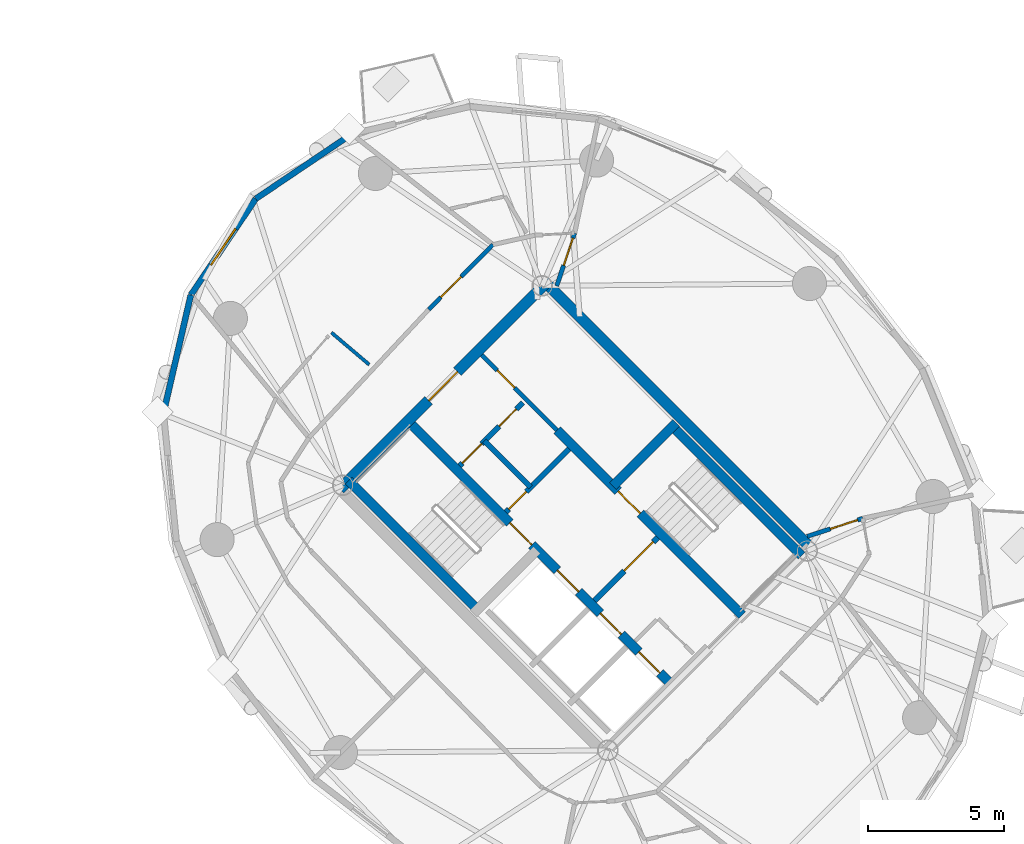
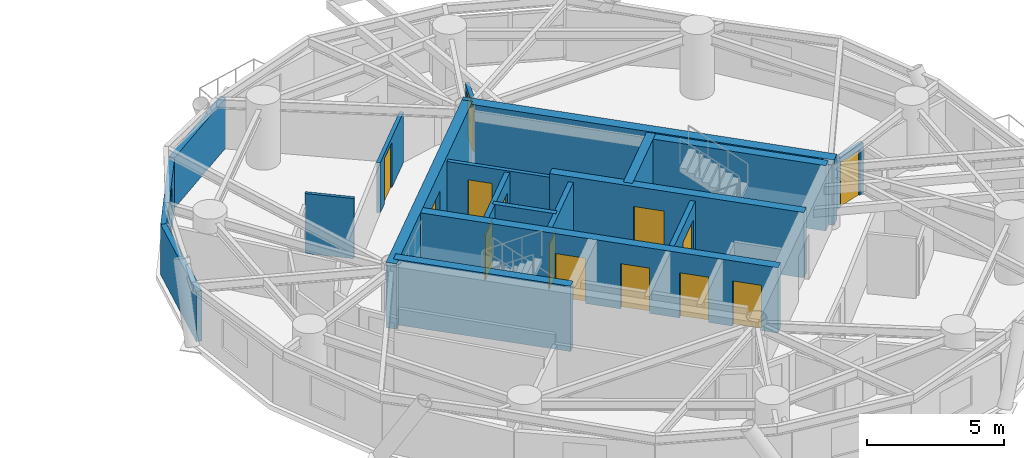
# One storey, part 14 of 19: 19 walls, 14 doors, 1 window, 15 openings.
"""IFC4 building model written with IfcOpenShell, lengths in metres."""

import ifcopenshell
import ifcopenshell.guid

model = None  # the IFC model being written
_history = None  # IfcOwnerHistory: only IFC2X3 demands one
_inside = {}  # id of a spatial element -> (the spatial element, [elements in it])
_under = {}  # id of a project, library or spatial element -> (it, [spatial elements below it])
_declared = {}  # id of a project -> (the project, [libraries it declares])
_typed = {}  # id of a type object -> (the type object, [elements of that type])
_made_of = {}  # id of a material, layer set ... -> (it, [elements and type objects made of it])


def new_model(schema):
    """Start an empty IFC model of exactly this schema.

    Asked for "IFC4X3", IfcOpenShell would pick the latest addendum, in which some entities
    have other attributes; the version numbers below select the first issue.
    IFC2X3 requires an IfcOwnerHistory on every rooted entity: one is made here for all.
    """
    global model, _history
    if schema == "IFC4X3":
        model = ifcopenshell.file(schema_version=(4, 3, 0, 0))
    else:
        model = ifcopenshell.file(schema=schema)
    _inside.clear()
    _under.clear()
    _declared.clear()
    _typed.clear()
    _made_of.clear()
    _history = None
    if model.schema == "IFC2X3":
        org = make("IfcOrganization", Name="unknown")
        user = make(
            "IfcPersonAndOrganization",
            ThePerson=make("IfcPerson", FamilyName="unknown"),
            TheOrganization=org,
        )
        app = make(
            "IfcApplication",
            ApplicationDeveloper=org,
            Version="unknown",
            ApplicationFullName="unknown",
            ApplicationIdentifier="unknown",
        )
        _history = make(
            "IfcOwnerHistory",
            OwningUser=user,
            OwningApplication=app,
            ChangeAction="ADDED",
            CreationDate=0,
        )
    return model


def make(cls, **values):
    """One entity of the class cls with the attributes given. An attribute that is None is left unset."""
    return model.create_entity(
        cls, **{name: value for name, value in values.items() if value is not None}
    )


def rooted(cls, **values):
    """An entity with a GlobalId (a new one), such as an element, a storey or a relation."""
    return make(cls, GlobalId=ifcopenshell.guid.new(), OwnerHistory=_history, **values)


def si_unit(unit_type, name, prefix=None):
    """IfcSIUnit, for example si_unit("LENGTHUNIT", "METRE", prefix="MILLI")."""
    return make("IfcSIUnit", UnitType=unit_type, Prefix=prefix, Name=name)


def assignment(units):
    """IfcUnitAssignment: the units of a project."""
    return None if units is None else make("IfcUnitAssignment", Units=units)


def point(xyz):
    """IfcCartesianPoint."""
    return None if xyz is None else make("IfcCartesianPoint", Coordinates=xyz)


def direction(xyz):
    """IfcDirection."""
    return None if xyz is None else make("IfcDirection", DirectionRatios=xyz)


def frame(location, z_axis=None, x_axis=None):
    """IfcAxis2Placement3D, a coordinate frame: its origin and axes. An axis left out is left unset."""
    return make(
        "IfcAxis2Placement3D",
        Location=point(location),
        Axis=direction(z_axis),
        RefDirection=direction(x_axis),
    )


def frame_2d(location, x_axis=None):
    """IfcAxis2Placement2D, a coordinate frame in the plane: its origin and x axis."""
    return make(
        "IfcAxis2Placement2D", Location=point(location), RefDirection=direction(x_axis)
    )


def origin():
    """The frame at (0, 0, 0) with its axes left unset."""
    return frame((0.0, 0.0, 0.0))


def place(relative_to, where):
    """IfcLocalPlacement: puts the frame where relative to a parent placement (None: the world)."""
    return make(
        "IfcLocalPlacement", PlacementRelTo=relative_to, RelativePlacement=where
    )


def context(
    kind, dimensions, precision=None, world=None, true_north=None, identifier=None
):
    """IfcGeometricRepresentationContext, for example the 3D "Model" context."""
    return make(
        "IfcGeometricRepresentationContext",
        ContextIdentifier=identifier,
        ContextType=kind,
        CoordinateSpaceDimension=dimensions,
        Precision=precision,
        WorldCoordinateSystem=world,
        TrueNorth=true_north,
    )


def subcontext(parent, identifier, kind, view, scale=None):
    """IfcGeometricRepresentationSubContext, for example "Body" below "Model"."""
    return make(
        "IfcGeometricRepresentationSubContext",
        ContextIdentifier=identifier,
        ContextType=kind,
        ParentContext=parent,
        TargetScale=scale,
        TargetView=view,
    )


def project(units=None, contexts=None):
    """IfcProject with its units and contexts."""
    return rooted(
        "IfcProject",
        Name="project",
        RepresentationContexts=contexts,
        UnitsInContext=assignment(units),
    )


def spatial(cls, under=None, at=None, **own):
    """A site, building, storey or space (cls), placed at a placement, below another one or the project."""
    s = rooted(cls, ObjectPlacement=at, **own)
    if under is not None:
        _under.setdefault(under.id(), (under, []))[1].append(s)
    return s


def profile(cls, at=None, kind="AREA", **sizes):
    """A parametric profile (cls). Its sizes go by their IFC names, for example OverallWidth=200.0."""
    return make(cls, ProfileType=kind, Position=at, **sizes)


def rectangle(**sizes):
    """IfcRectangleProfileDef."""
    return profile("IfcRectangleProfileDef", **sizes)


def extrude(swept, where, along, depth):
    """IfcExtrudedAreaSolid: the profile swept, set in the frame where, extruded along a direction by depth."""
    return make(
        "IfcExtrudedAreaSolid",
        SweptArea=swept,
        Position=where,
        ExtrudedDirection=direction(along),
        Depth=depth,
    )


def shape(context_of_items, identifier, shape_type, items):
    """IfcShapeRepresentation: the items that make up one representation, for example the "Body"."""
    return make(
        "IfcShapeRepresentation",
        ContextOfItems=context_of_items,
        RepresentationIdentifier=identifier,
        RepresentationType=shape_type,
        Items=items,
    )


def source(mapping_origin, context_of_items, identifier, shape_type, items):
    """IfcRepresentationMap: a shape defined once, which mapped items show again and again."""
    return make(
        "IfcRepresentationMap",
        MappingOrigin=mapping_origin,
        MappedRepresentation=shape(context_of_items, identifier, shape_type, items),
    )


def transform(
    local_origin,
    x_axis=None,
    y_axis=None,
    z_axis=None,
    scale=None,
    scale2=None,
    scale3=None,
    uniform=True,
):
    """IfcCartesianTransformationOperator3D, or its non-uniform kind. x_axis, y_axis, z_axis: its Axis1, 2, 3."""
    if uniform:
        return make(
            "IfcCartesianTransformationOperator3D",
            Axis1=direction(x_axis),
            Axis2=direction(y_axis),
            LocalOrigin=point(local_origin),
            Scale=scale,
            Axis3=direction(z_axis),
        )
    return make(
        "IfcCartesianTransformationOperator3DnonUniform",
        Axis1=direction(x_axis),
        Axis2=direction(y_axis),
        LocalOrigin=point(local_origin),
        Scale=scale,
        Axis3=direction(z_axis),
        Scale2=scale2,
        Scale3=scale3,
    )


def mapped(mapping_source, mapping_target):
    """IfcMappedItem: shows the shape of a source again, moved by a transform."""
    return make(
        "IfcMappedItem", MappingSource=mapping_source, MappingTarget=mapping_target
    )


def material(Name=None, Category=None):
    """IfcMaterial."""
    return make("IfcMaterial", Name=Name, Category=Category)


def layer(
    of_material, thickness, ventilated=None, Name=None, Category=None, Priority=None
):
    """IfcMaterialLayer: one layer of a wall or slab, of a material (None: an air gap)."""
    return make(
        "IfcMaterialLayer",
        Material=of_material,
        LayerThickness=thickness,
        IsVentilated=ventilated,
        Name=Name,
        Category=Category,
        Priority=Priority,
    )


def layer_set(layers, Name=None):
    """IfcMaterialLayerSet."""
    return make("IfcMaterialLayerSet", MaterialLayers=layers, LayerSetName=Name)


def made_of(thing, what):
    """Note that an element or type object is made of a material, layer set ...; save() writes the relation."""
    if what is not None:
        _made_of.setdefault(what.id(), (what, []))[1].append(thing)
    return thing


def type_object(cls, material=None, **own):
    """A type object (cls), such as IfcWallType, which elements share."""
    return made_of(rooted(cls, **own), material)


def element(
    cls,
    number,
    at=None,
    inside=None,
    cuts=None,
    type_object=None,
    material=None,
    context=None,
    identifier="Body",
    shape_type=None,
    held_by="IfcProductDefinitionShape",
    body=None,
    shapes=None,
    **own,
):
    """One element of the class cls, such as IfcWall. Its Tag is "e" and its number.

    at: its placement. inside: the storey or other place that contains it. cuts: it is an
    opening in that element (IfcRelVoidsElement). A single representation is given by context,
    identifier, shape_type and body (its items); several are given by shapes. held_by: the class
    of the entity that holds the representations. save() writes the other relations.
    """
    e = rooted(cls, Tag="e%d" % number, ObjectPlacement=at, **own)
    if body is not None:
        shapes = [shape(context, identifier, shape_type, body)]
    if shapes is not None:
        e.Representation = make(held_by, Representations=shapes)
    if inside is not None:
        _inside.setdefault(inside.id(), (inside, []))[1].append(e)
    if cuts is not None:
        rooted(
            "IfcRelVoidsElement", RelatingBuildingElement=cuts, RelatedOpeningElement=e
        )
    if type_object is not None:
        _typed.setdefault(type_object.id(), (type_object, []))[1].append(e)
    return made_of(e, material)


def fill(opening, filler):
    """IfcRelFillsElement: the door or window that sits in an opening."""
    return rooted(
        "IfcRelFillsElement",
        RelatingOpeningElement=opening,
        RelatedBuildingElement=filler,
    )


def aggregate(whole, parts):
    """IfcRelAggregates: a whole, such as a stair, and the parts it consists of."""
    return rooted("IfcRelAggregates", RelatingObject=whole, RelatedObjects=parts)


def save(model, path):
    """Write the relations noted so far, then the file.

    IfcRelAggregates (storeys below a building ...), IfcRelContainedInSpatialStructure (elements
    in a storey), IfcRelDefinesByType, IfcRelAssociatesMaterial and IfcRelDeclares: one each for
    every whole, place, type object, material and project.
    """
    for whole, parts in _under.values():
        aggregate(whole, parts)
    for where, things in _inside.values():
        rooted(
            "IfcRelContainedInSpatialStructure",
            RelatedElements=things,
            RelatingStructure=where,
        )
    for kind, things in _typed.values():
        rooted("IfcRelDefinesByType", RelatedObjects=things, RelatingType=kind)
    for what, things in _made_of.values():
        rooted("IfcRelAssociatesMaterial", RelatedObjects=things, RelatingMaterial=what)
    for by, libraries in _declared.values():
        rooted("IfcRelDeclares", RelatingContext=by, RelatedDefinitions=libraries)
    model.write(path)


model = new_model("IFC4")

# Units and contexts
model_context = context("Model", 3, precision=1e-05, world=origin(), true_north=direction((0.0, 1.0)))
body_context = subcontext(model_context, "Body", "Model", "MODEL_VIEW")
ifc_project = project(units=[si_unit("LENGTHUNIT", "METRE"), si_unit("AREAUNIT", "SQUARE_METRE"), si_unit("VOLUMEUNIT", "CUBIC_METRE"), si_unit("PLANEANGLEUNIT", "RADIAN"), si_unit("MASSUNIT", "GRAM", prefix="KILO")], contexts=[model_context])

# Site, building, storey
site_placement = place(None, origin())
site = spatial("IfcSite", under=ifc_project, at=site_placement, CompositionType="ELEMENT")
building_placement = place(site_placement, origin())
building = spatial("IfcBuilding", under=site, at=building_placement, Name="Cununo Teusaquillo Station Towers", CompositionType="ELEMENT")
storey_placement = place(building_placement, frame((0.0, 0.0, 177.7900390625)))
storey = spatial("IfcBuildingStorey", under=building, at=storey_placement, Name="L56", CompositionType="ELEMENT", Elevation=177.7900390625)

# Wall, openings, doors
ifc_material_1 = material(Name="Concrete C50/60", Category="concrete")
ifc_layer_1 = layer(ifc_material_1, 0.35009765625)
ifc_layer_set_1 = layer_set([ifc_layer_1], Name="Concrete C50/60")
wall_type_1 = type_object("IfcWallType", Name="WL-CORE-350", PredefinedType="SHEAR", material=ifc_layer_set_1)
wall_1_placement = place(storey_placement, frame((61.060302734375, 18.372802734375, 0.0), z_axis=(0.0, 0.0, 1.0), x_axis=(-0.707106781187, 0.707106781187, 0.0)))
wall_1 = element("IfcWall", 1, at=wall_1_placement, inside=storey, type_object=wall_type_1, Name="L56 Tower B Core Shear Wall IW", PredefinedType="SHEAR", context=body_context, shape_type="SweptSolid", body=[
    extrude(rectangle(XDim=13.7001953125, YDim=0.35009765625, at=frame_2d((6.85009765625, 0.0))), origin(), (0.0, 0.0, 1.0), 2.909912109375),
])
shared_shape_1 = source(origin(), body_context, "Body", "SweptSolid", [
    extrude(rectangle(XDim=1.10009765625, YDim=2.014892578125, at=frame_2d((0.550048828125, 1.00732421875))), frame((0.0, 0.18505859375, 0.0), z_axis=(0.0, -1.0, 0.0), x_axis=(1.0, 0.0, 0.0)), (0.0, 0.0, 1.0), 0.3701171875),
])
opening_1_placement = place(wall_1_placement, frame((4.85009765625, 0.0, 0.0)))
opening_1 = element("IfcOpeningElement", 2, at=opening_1_placement, cuts=wall_1, Name="Opening LD-01", PredefinedType="OPENING", context=body_context, shape_type="MappedRepresentation", body=[
    mapped(shared_shape_1, transform((0.0, 0.0, 0.0), x_axis=(1.0, 0.0, 0.0), y_axis=(0.0, 1.0, 0.0), z_axis=(0.0, 0.0, 1.0), scale=1.0)),
])
opening_2_placement = place(wall_1_placement, frame((0.625, 0.0, 0.0)))
opening_2 = element("IfcOpeningElement", 3, at=opening_2_placement, cuts=wall_1, Name="Opening LD-01", PredefinedType="OPENING", context=body_context, shape_type="MappedRepresentation", body=[
    mapped(shared_shape_1, transform((0.0, 0.0, 0.0), x_axis=(1.0, 0.0, 0.0), y_axis=(0.0, 1.0, 0.0), z_axis=(0.0, 0.0, 1.0), scale=1.0)),
])
opening_3_placement = place(wall_1_placement, frame((2.625, 0.0, 0.0)))
opening_3 = element("IfcOpeningElement", 4, at=opening_3_placement, cuts=wall_1, Name="Opening LD-01", PredefinedType="OPENING", context=body_context, shape_type="MappedRepresentation", body=[
    mapped(shared_shape_1, transform((0.0, 0.0, 0.0), x_axis=(1.0, 0.0, 0.0), y_axis=(0.0, 1.0, 0.0), z_axis=(0.0, 0.0, 1.0), scale=1.0)),
])
shared_shape_2 = source(origin(), body_context, "Body", "SweptSolid", [
    extrude(rectangle(XDim=1.14990234375, YDim=2.02001953125, at=frame_2d((0.574951171875, 1.010009765625))), frame((0.0, 0.18505859375, 0.0), z_axis=(0.0, -1.0, 0.0), x_axis=(1.0, 0.0, 0.0)), (0.0, 0.0, 1.0), 0.3701171875),
])
opening_4_placement = place(wall_1_placement, frame((7.27001953125, 0.0, 0.0)))
opening_4 = element("IfcOpeningElement", 5, at=opening_4_placement, cuts=wall_1, Name="Opening D-ST1", PredefinedType="OPENING", context=body_context, shape_type="MappedRepresentation", body=[
    mapped(shared_shape_2, transform((0.0, 0.0, 0.0), x_axis=(1.0, 0.0, 0.0), y_axis=(0.0, 1.0, 0.0), z_axis=(0.0, 0.0, 1.0), scale=1.0)),
])
ifc_material_2 = material(Name="Galvanised fire-rated hollow steel door assembly", Category="steel")
door_type_1 = type_object("IfcDoorType", Name="DR-LIFT-1100", OperationType="SLIDING_TO_LEFT", PredefinedType="DOOR", material=ifc_material_2)
shared_shape_3 = source(origin(), body_context, "Body", "SweptSolid", [
    extrude(rectangle(XDim=1.10009765625, YDim=2.014892578125, at=frame_2d((0.550048828125, 1.00732421875))), frame((0.0, 0.02490234375, 0.0), z_axis=(0.0, -1.0, 0.0), x_axis=(1.0, 0.0, 0.0)), (0.0, 0.0, 1.0), 0.050048828125),
])
door_1_placement = place(opening_1_placement, origin())
door_1 = element("IfcDoor", 6, at=door_1_placement, inside=storey, type_object=door_type_1, Name="L56 Lift FL-T2 Sliding Landing Door", OperationType="SLIDING_TO_RIGHT", OverallHeight=2.014892578125, OverallWidth=1.10009765625, PredefinedType="DOOR", context=body_context, shape_type="MappedRepresentation", body=[
    mapped(shared_shape_3, transform((0.0, 0.0, 0.0), x_axis=(1.0, 0.0, 0.0), y_axis=(0.0, 1.0, 0.0), z_axis=(0.0, 0.0, 1.0), scale=1.0)),
])
fill(opening_1, door_1)
door_2_placement = place(opening_2_placement, origin())
door_2 = element("IfcDoor", 7, at=door_2_placement, inside=storey, type_object=door_type_1, Name="L56 Lift PL-T2-H1 Sliding Landing Door", OperationType="SLIDING_TO_LEFT", OverallHeight=2.014892578125, OverallWidth=1.10009765625, PredefinedType="DOOR", context=body_context, shape_type="MappedRepresentation", body=[
    mapped(shared_shape_3, transform((0.0, 0.0, 0.0), x_axis=(1.0, 0.0, 0.0), y_axis=(0.0, 1.0, 0.0), z_axis=(0.0, 0.0, 1.0), scale=1.0)),
])
fill(opening_2, door_2)
door_3_placement = place(opening_3_placement, origin())
door_3 = element("IfcDoor", 8, at=door_3_placement, inside=storey, type_object=door_type_1, Name="L56 Lift PL-T2-H2 Sliding Landing Door", OperationType="SLIDING_TO_RIGHT", OverallHeight=2.014892578125, OverallWidth=1.10009765625, PredefinedType="DOOR", context=body_context, shape_type="MappedRepresentation", body=[
    mapped(shared_shape_3, transform((0.0, 0.0, 0.0), x_axis=(1.0, 0.0, 0.0), y_axis=(0.0, 1.0, 0.0), z_axis=(0.0, 0.0, 1.0), scale=1.0)),
])
fill(opening_3, door_3)
ifc_material_3 = material(Name="Galvanised fire-rated hollow steel door assembly", Category="steel")
door_type_2 = type_object("IfcDoorType", Name="DR-STAIR-1150", OperationType="NOTDEFINED", PredefinedType="DOOR", material=ifc_material_3)
shared_shape_4 = source(origin(), body_context, "Body", "SweptSolid", [
    extrude(rectangle(XDim=1.14990234375, YDim=2.02001953125, at=frame_2d((0.574951171875, 1.010009765625))), frame((0.0, 0.02490234375, 0.0), z_axis=(0.0, -1.0, 0.0), x_axis=(1.0, 0.0, 0.0)), (0.0, 0.0, 1.0), 0.050048828125),
])
door_4_placement = place(opening_4_placement, origin())
door_4 = element("IfcDoor", 9, at=door_4_placement, inside=storey, type_object=door_type_2, Name="L56 Tower B Exit Stair 1 Fire Door", OperationType="SINGLE_SWING_LEFT", OverallHeight=2.02001953125, OverallWidth=1.14990234375, PredefinedType="DOOR", context=body_context, shape_type="MappedRepresentation", body=[
    mapped(shared_shape_4, transform((0.0, 0.0, 0.0), x_axis=(1.0, 0.0, 0.0), y_axis=(0.0, 1.0, 0.0), z_axis=(0.0, 0.0, 1.0), scale=1.0)),
])
fill(opening_4, door_4)

# Wall, opening, door
wall_2_placement = place(storey_placement, frame((63.627197265625, 20.939697265625, 0.0), z_axis=(0.0, 0.0, 1.0), x_axis=(-0.707119496762, 0.707094065383, 0.0)))
wall_2 = element("IfcWall", 10, at=wall_2_placement, inside=storey, type_object=wall_type_1, Name="L56 Tower B Core Shear Wall IE", PredefinedType="SHEAR", context=body_context, shape_type="SweptSolid", body=[
    extrude(rectangle(XDim=9.60009765625, YDim=0.35009765625, at=frame_2d((4.800048828125, 0.0))), origin(), (0.0, 0.0, 1.0), 2.909912109375),
])
opening_5_placement = place(wall_2_placement, frame((5.280029296875, 0.0, 0.0)))
opening_5 = element("IfcOpeningElement", 11, at=opening_5_placement, cuts=wall_2, Name="Opening D-ST1", PredefinedType="OPENING", context=body_context, shape_type="MappedRepresentation", body=[
    mapped(shared_shape_2, transform((0.0, 0.0, 0.0), x_axis=(1.0, 0.0, 0.0), y_axis=(0.0, 1.0, 0.0), z_axis=(0.0, 0.0, 1.0), scale=1.0)),
])
door_5_placement = place(opening_5_placement, origin())
door_5 = element("IfcDoor", 12, at=door_5_placement, inside=storey, type_object=door_type_2, Name="L56 Tower B Exit Stair 2 Fire Door", OperationType="SINGLE_SWING_RIGHT", OverallHeight=2.02001953125, OverallWidth=1.14990234375, PredefinedType="DOOR", context=body_context, shape_type="MappedRepresentation", body=[
    mapped(shared_shape_4, transform((0.0, 0.0, 0.0), x_axis=(1.0, 0.0, 0.0), y_axis=(0.0, 1.0, 0.0), z_axis=(0.0, 0.0, 1.0), scale=1.0)),
])
fill(opening_5, door_5)

# Walls
for number, where, z_axis, x_axis, name in (
    (13, (53.922119140625, 21.14111328125, 0.0), (0.0, 0.0, 1.0), (-0.707106781187, 0.707106781187, 0.0), "L56 Tower B Core Shear Wall ST1W"),
    (14, (65.81201171875, 23.124755859375, 0.0), (0.0, 0.0, 1.0), (-0.707106781187, 0.707106781187, 0.0), "L56 Tower B Core Shear Wall ST2E"),
):
    element("IfcWall", number, at=place(storey_placement, frame(where, z_axis=z_axis, x_axis=x_axis)), inside=storey, type_object=wall_type_1, Name=name, PredefinedType="SHEAR", context=body_context, shape_type="SweptSolid", body=[
        extrude(rectangle(XDim=6.695068359375, YDim=0.35009765625, at=frame_2d((3.34765625, 0.0))), origin(), (0.0, 0.0, 1.0), 2.909912109375),
    ])
wall_3_placement = place(storey_placement, frame((58.89306640625, 25.673828125, 0.0), z_axis=(0.0, 0.0, 1.0), x_axis=(0.707106781187, 0.707106781187, 0.0)))
element("IfcWall", 15, at=wall_3_placement, inside=storey, type_object=wall_type_1, Name="L56 Tower B Core Shear Wall ST2N", PredefinedType="SHEAR", context=body_context, shape_type="SweptSolid", body=[
    extrude(rectangle(XDim=3.284912109375, YDim=0.35009765625, at=frame_2d((1.642578125, 0.0))), origin(), (0.0, 0.0, 1.0), 2.909912109375),
])
ifc_material_4 = material(Name="Concrete C50/60", Category="concrete")
ifc_layer_2 = layer(ifc_material_4, 0.39990234375)
ifc_layer_set_2 = layer_set([ifc_layer_2], Name="Concrete C50/60")
wall_type_2 = type_object("IfcWallType", Name="WL-CORE-400", PredefinedType="SHEAR", material=ifc_layer_set_2)
wall_4_placement = place(storey_placement, frame((66.26806640625, 23.2978515625, 0.0), z_axis=(0.0, 0.0, 1.0), x_axis=(-0.707106781187, 0.707106781187, 0.0)))
element("IfcWall", 16, at=wall_4_placement, inside=storey, type_object=wall_type_2, Name="L56 Tower B Core Shear Wall E", PredefinedType="SHEAR", context=body_context, shape_type="SweptSolid", body=[
    extrude(rectangle(XDim=14.10009765625, YDim=0.39990234375, at=frame_2d((7.050048828125, 0.0))), origin(), (0.0, 0.0, 1.0), 2.909912109375),
])

# Wall, opening, door
wall_5_placement = place(storey_placement, frame((48.873291015625, 25.560791015625, 0.0), z_axis=(0.0, 0.0, 1.0), x_axis=(0.707106781187, 0.707106781187, 0.0)))
wall_5 = element("IfcWall", 17, at=wall_5_placement, inside=storey, type_object=wall_type_2, Name="L56 Tower B Core Shear Wall N", PredefinedType="SHEAR", context=body_context, shape_type="SweptSolid", body=[
    extrude(rectangle(XDim=10.69970703125, YDim=0.39990234375, at=frame_2d((5.349853515625, 0.0))), origin(), (0.0, 0.0, 1.0), 2.909912109375),
])
shared_shape_5 = source(origin(), body_context, "Body", "SweptSolid", [
    extrude(rectangle(XDim=1.5, YDim=2.02001953125, at=frame_2d((0.75, 1.010009765625))), frame((0.0, 0.2099609375, 0.0), z_axis=(0.0, -1.0, 0.0), x_axis=(1.0, 0.0, 0.0)), (0.0, 0.0, 1.0), 0.419921875),
])
opening_6_placement = place(wall_5_placement, frame((4.60009765625, 0.0, 0.0)))
opening_6 = element("IfcOpeningElement", 18, at=opening_6_placement, cuts=wall_5, Name="Opening D-LB1", PredefinedType="OPENING", context=body_context, shape_type="MappedRepresentation", body=[
    mapped(shared_shape_5, transform((0.0, 0.0, 0.0), x_axis=(1.0, 0.0, 0.0), y_axis=(0.0, 1.0, 0.0), z_axis=(0.0, 0.0, 1.0), scale=1.0)),
])
ifc_material_5 = material(Name="Galvanised fire-rated hollow steel door assembly", Category="steel")
door_type_3 = type_object("IfcDoorType", Name="DR-LOBBY-1500", OperationType="DOUBLE_DOOR_SINGLE_SWING", PredefinedType="DOOR", material=ifc_material_5)
shared_shape_6 = source(origin(), body_context, "Body", "SweptSolid", [
    extrude(rectangle(XDim=1.5, YDim=2.02001953125, at=frame_2d((0.75, 1.010009765625))), frame((0.0, 0.02490234375, 0.0), z_axis=(0.0, -1.0, 0.0), x_axis=(1.0, 0.0, 0.0)), (0.0, 0.0, 1.0), 0.050048828125),
])
door_6_placement = place(opening_6_placement, origin())
door_6 = element("IfcDoor", 19, at=door_6_placement, inside=storey, type_object=door_type_3, Name="L56 Tower B North Core Lift Lobby Door", OperationType="DOUBLE_DOOR_SINGLE_SWING", OverallHeight=2.02001953125, OverallWidth=1.5, PredefinedType="DOOR", context=body_context, shape_type="MappedRepresentation", body=[
    mapped(shared_shape_6, transform((0.0, 0.0, 0.0), x_axis=(1.0, 0.0, 0.0), y_axis=(0.0, 1.0, 0.0), z_axis=(0.0, 0.0, 1.0), scale=1.0)),
])
fill(opening_6, door_6)

# Wall
ifc_material_6 = material(Name="Precast concrete C40/50", Category="concrete")
ifc_layer_3 = layer(ifc_material_6, 0.219970703125)
ifc_layer_set_3 = layer_set([ifc_layer_3], Name="Precast concrete C40/50")
wall_type_3 = type_object("IfcWallType", Name="WL-EXT-220", PredefinedType="SOLIDWALL", material=ifc_layer_set_3)
wall_6_placement = place(storey_placement, frame((45.783203125, 36.216796875, 0.0), z_axis=(0.0, 0.0, 1.0), x_axis=(0.828817439852, 0.55951912514, 0.0)))
element("IfcWall", 20, at=wall_6_placement, inside=storey, type_object=wall_type_3, Name="L56 Tower B Exterior Facade Wall C04", PredefinedType="SOLIDWALL", context=body_context, shape_type="SweptSolid", body=[
    extrude(rectangle(XDim=4.259033203125, YDim=0.219970703125, at=frame_2d((2.12939453125, 0.0))), origin(), (0.0, 0.0, 1.0), 2.244873046875),
])

# Wall, opening, window
wall_7_placement = place(storey_placement, frame((43.400146484375, 32.686767578125, 0.0), z_axis=(0.0, 0.0, 1.0), x_axis=(0.55951912514, 0.828817439852, 0.0)))
wall_7 = element("IfcWall", 21, at=wall_7_placement, inside=storey, type_object=wall_type_3, Name="L56 Tower B Exterior Facade Wall C05", PredefinedType="SOLIDWALL", context=body_context, shape_type="SweptSolid", body=[
    extrude(rectangle(XDim=4.259033203125, YDim=0.219970703125, at=frame_2d((2.12939453125, 0.0))), origin(), (0.0, 0.0, 1.0), 2.244873046875),
])
shared_shape_7 = source(origin(), body_context, "Body", "SweptSolid", [
    extrude(rectangle(XDim=1.60009765625, YDim=1.300048828125, at=frame_2d((0.800048828125, 0.64990234375))), frame((0.0, 0.119873046875, 0.0), z_axis=(0.0, -1.0, 0.0), x_axis=(1.0, 0.0, 0.0)), (0.0, 0.0, 1.0), 0.239990234375),
])
opening_7_placement = place(wall_7_placement, frame((1.330078125, 0.0, 0.64990234375)))
opening_7 = element("IfcOpeningElement", 22, at=opening_7_placement, cuts=wall_7, Name="Opening WN-03", PredefinedType="OPENING", context=body_context, shape_type="MappedRepresentation", body=[
    mapped(shared_shape_7, transform((0.0, 0.0, 0.0), x_axis=(1.0, 0.0, 0.0), y_axis=(0.0, 1.0, 0.0), z_axis=(0.0, 0.0, 1.0), scale=1.0)),
])
ifc_material_7 = material(Name="Ceramic-fritted dark low-E double glazing", Category="glass")
window_type = type_object("IfcWindowType", Name="WIN-CORN-1600", PartitioningType="SINGLE_PANEL", PredefinedType="WINDOW", material=ifc_material_7)
shared_shape_8 = source(origin(), body_context, "Body", "SweptSolid", [
    extrude(rectangle(XDim=1.60009765625, YDim=1.300048828125, at=frame_2d((0.800048828125, 0.64990234375))), frame((0.0, 0.030029296875, 0.0), z_axis=(0.0, -1.0, 0.0), x_axis=(1.0, 0.0, 0.0)), (0.0, 0.0, 1.0), 0.06005859375),
])
window_placement = place(opening_7_placement, origin())
window = element("IfcWindow", 23, at=window_placement, inside=storey, type_object=window_type, Name="L56 Tower B Facade Window C05", OverallHeight=1.300048828125, OverallWidth=1.60009765625, PartitioningType="SINGLE_PANEL", PredefinedType="WINDOW", context=body_context, shape_type="MappedRepresentation", body=[
    mapped(shared_shape_8, transform((0.0, 0.0, 0.0), x_axis=(1.0, 0.0, 0.0), y_axis=(0.0, 1.0, 0.0), z_axis=(0.0, 0.0, 1.0), scale=1.0)),
])
fill(opening_7, window)

# Walls
wall_8_placement = place(storey_placement, frame((42.397216796875, 28.355224609375, 0.0), z_axis=(0.0, 0.0, 1.0), x_axis=(0.22557328587, 0.97422620202, 0.0)))
element("IfcWall", 24, at=wall_8_placement, inside=storey, type_object=wall_type_3, Name="L56 Tower B Exterior Facade Wall C06", PredefinedType="SOLIDWALL", context=body_context, shape_type="SweptSolid", body=[
    extrude(rectangle(XDim=4.446044921875, YDim=0.219970703125, at=frame_2d((2.22314453125, 0.0))), origin(), (0.0, 0.0, 1.0), 2.244873046875),
])
ifc_material_8 = material(Name="Fire-rated gypsum plasterboard partition assembly", Category="gypsum")
ifc_layer_4 = layer(ifc_material_8, 0.125)
ifc_layer_set_4 = layer_set([ifc_layer_4], Name="Fire-rated gypsum plasterboard partition assembly")
wall_type_4 = type_object("IfcWallType", Name="WL-PART-125", PredefinedType="PARTITIONING", material=ifc_layer_set_4)
wall_9_placement = place(storey_placement, frame((49.94921875, 30.130126953125, 0.0), z_axis=(0.0, 0.0, 1.0), x_axis=(-0.76253118385, 0.646951461592, 0.0)))
element("IfcWall", 25, at=wall_9_placement, inside=storey, type_object=wall_type_4, Name="L56 Tower B S02 En-suite Side Wall", PredefinedType="PARTITIONING", context=body_context, shape_type="SweptSolid", body=[
    extrude(rectangle(XDim=1.82080078125, YDim=0.125, at=frame_2d((0.910400390625, 0.0))), origin(), (0.0, 0.0, 1.0), 2.675048828125),
])

# Wall, opening, door
ifc_material_9 = material(Name="Fire-rated gypsum plasterboard partition assembly", Category="gypsum")
ifc_layer_5 = layer(ifc_material_9, 0.14990234375)
ifc_layer_set_5 = layer_set([ifc_layer_5], Name="Fire-rated gypsum plasterboard partition assembly")
wall_type_5 = type_object("IfcWallType", Name="WL-PART-150", PredefinedType="PARTITIONING", material=ifc_layer_set_5)
wall_10_placement = place(storey_placement, frame((54.48779296875, 34.534912109375, 0.0), z_axis=(0.0, 0.0, 1.0), x_axis=(-0.703666289339, -0.710530613871, 0.0)))
wall_10 = element("IfcWall", 26, at=wall_10_placement, inside=storey, type_object=wall_type_5, Name="L56 Tower B Corridor Ring Wall C04", PredefinedType="PARTITIONING", context=body_context, shape_type="SweptSolid", body=[
    extrude(rectangle(XDim=3.34326171875, YDim=0.14990234375, at=frame_2d((1.671630859375, 0.0))), origin(), (0.0, 0.0, 1.0), 2.244873046875),
])
shared_shape_9 = source(origin(), body_context, "Body", "SweptSolid", [
    extrude(rectangle(XDim=1.050048828125, YDim=2.014892578125, at=frame_2d((0.52490234375, 1.00732421875))), frame((0.0, 0.0849609375, 0.0), z_axis=(0.0, -1.0, 0.0), x_axis=(1.0, 0.0, 0.0)), (0.0, 0.0, 1.0), 0.169921875),
])
opening_8_placement = place(wall_10_placement, frame((1.659912109375, 0.0, 0.0)))
opening_8 = element("IfcOpeningElement", 27, at=opening_8_placement, cuts=wall_10, Name="Opening D-SU1", PredefinedType="OPENING", context=body_context, shape_type="MappedRepresentation", body=[
    mapped(shared_shape_9, transform((0.0, 0.0, 0.0), x_axis=(1.0, 0.0, 0.0), y_axis=(0.0, 1.0, 0.0), z_axis=(0.0, 0.0, 1.0), scale=1.0)),
])
ifc_material_10 = material(Name="Acoustic solid-core hardwood leaf assembly", Category="wood")
door_type_4 = type_object("IfcDoorType", Name="DR-SUITE-1050", OperationType="NOTDEFINED", PredefinedType="DOOR", material=ifc_material_10)
shared_shape_10 = source(origin(), body_context, "Body", "SweptSolid", [
    extrude(rectangle(XDim=1.050048828125, YDim=2.014892578125, at=frame_2d((0.52490234375, 1.00732421875))), frame((0.0, 0.02490234375, 0.0), z_axis=(0.0, -1.0, 0.0), x_axis=(1.0, 0.0, 0.0)), (0.0, 0.0, 1.0), 0.050048828125),
])
door_7_placement = place(opening_8_placement, origin())
door_7 = element("IfcDoor", 28, at=door_7_placement, inside=storey, type_object=door_type_4, Name="L56 Tower B Savanna View Hotel Suite Entrance Door", OperationType="SINGLE_SWING_RIGHT", OverallHeight=2.014892578125, OverallWidth=1.050048828125, PredefinedType="DOOR", context=body_context, shape_type="MappedRepresentation", body=[
    mapped(shared_shape_10, transform((0.0, 0.0, 0.0), x_axis=(1.0, 0.0, 0.0), y_axis=(0.0, 1.0, 0.0), z_axis=(0.0, 0.0, 1.0), scale=1.0)),
])
fill(opening_8, door_7)

ifc_material_11 = material(Name="Fire-rated gypsum plasterboard partition assembly", Category="gypsum")
ifc_layer_6 = layer(ifc_material_11, 0.159912109375)
ifc_layer_set_6 = layer_set([ifc_layer_6], Name="Fire-rated gypsum plasterboard partition assembly")
wall_type_6 = type_object("IfcWallType", Name="WL-PART-160", PredefinedType="PARTITIONING", material=ifc_layer_set_6)
wall_11_placement = place(storey_placement, frame((56.8388671875, 27.727783203125, 0.0), z_axis=(0.0, 0.0, 1.0), x_axis=(-0.707106781187, 0.707106781187, 0.0)))
wall_11 = element("IfcWall", 29, at=wall_11_placement, inside=storey, type_object=wall_type_6, Name="L56 Tower B Reclaimed Core Bay Entry Wall", PredefinedType="PARTITIONING", context=body_context, shape_type="SweptSolid", body=[
    extrude(rectangle(XDim=3.900146484375, YDim=0.159912109375, at=frame_2d((1.9501953125, 0.0))), origin(), (0.0, 0.0, 1.0), 2.675048828125),
])
shared_shape_11 = source(origin(), body_context, "Body", "SweptSolid", [
    extrude(rectangle(XDim=0.89990234375, YDim=2.0048828125, at=frame_2d((0.449951171875, 1.00244140625))), frame((0.0, 0.08984375, 0.0), z_axis=(0.0, -1.0, 0.0), x_axis=(1.0, 0.0, 0.0)), (0.0, 0.0, 1.0), 0.179931640625),
])
opening_9_placement = place(wall_11_placement, frame((2.199951171875, 0.0, 0.0)))
opening_9 = element("IfcOpeningElement", 30, at=opening_9_placement, cuts=wall_11, Name="Opening D-IN1", PredefinedType="OPENING", context=body_context, shape_type="MappedRepresentation", body=[
    mapped(shared_shape_11, transform((0.0, 0.0, 0.0), x_axis=(1.0, 0.0, 0.0), y_axis=(0.0, 1.0, 0.0), z_axis=(0.0, 0.0, 1.0), scale=1.0)),
])
ifc_material_12 = material(Name="Acoustic solid-core hardwood leaf assembly", Category="wood")
door_type_5 = type_object("IfcDoorType", Name="DR-INT-900", OperationType="NOTDEFINED", PredefinedType="DOOR", material=ifc_material_12)
shared_shape_12 = source(origin(), body_context, "Body", "SweptSolid", [
    extrude(rectangle(XDim=0.89990234375, YDim=2.0048828125, at=frame_2d((0.449951171875, 1.00244140625))), frame((0.0, 0.02490234375, 0.0), z_axis=(0.0, -1.0, 0.0), x_axis=(1.0, 0.0, 0.0)), (0.0, 0.0, 1.0), 0.050048828125),
])
door_8_placement = place(opening_9_placement, origin())
door_8 = element("IfcDoor", 31, at=door_8_placement, inside=storey, type_object=door_type_5, Name="L56 Tower B Reclaimed Core Lounge Door", OperationType="SINGLE_SWING_LEFT", OverallHeight=2.0048828125, OverallWidth=0.89990234375, PredefinedType="DOOR", context=body_context, shape_type="MappedRepresentation", body=[
    mapped(shared_shape_12, transform((0.0, 0.0, 0.0), x_axis=(1.0, 0.0, 0.0), y_axis=(0.0, 1.0, 0.0), z_axis=(0.0, 0.0, 1.0), scale=1.0)),
])
fill(opening_9, door_8)

wall_12_placement = place(storey_placement, frame((56.828125, 33.0205078125, 0.0), z_axis=(0.0, 0.0, 1.0), x_axis=(0.321300161671, 0.94697740528, 0.0)))
wall_12 = element("IfcWall", 32, at=wall_12_placement, inside=storey, type_object=wall_type_6, Name="L56 Tower B East Salon Corridor Portal Wall NE", PredefinedType="PARTITIONING", context=body_context, shape_type="SweptSolid", body=[
    extrude(rectangle(XDim=2.048583984375, YDim=0.159912109375, at=frame_2d((1.0244140625, 0.0))), origin(), (0.0, 0.0, 1.0), 2.244873046875),
])
shared_shape_13 = source(origin(), body_context, "Body", "SweptSolid", [
    extrude(rectangle(XDim=1.050048828125, YDim=2.014892578125, at=frame_2d((0.52490234375, 1.00732421875))), frame((0.0, 0.08984375, 0.0), z_axis=(0.0, -1.0, 0.0), x_axis=(1.0, 0.0, 0.0)), (0.0, 0.0, 1.0), 0.179931640625),
])
opening_10_placement = place(wall_12_placement, frame((0.79833984375, 0.0, 0.0)))
opening_10 = element("IfcOpeningElement", 33, at=opening_10_placement, cuts=wall_12, Name="Opening D-SU1", PredefinedType="OPENING", context=body_context, shape_type="MappedRepresentation", body=[
    mapped(shared_shape_13, transform((0.0, 0.0, 0.0), x_axis=(1.0, 0.0, 0.0), y_axis=(0.0, 1.0, 0.0), z_axis=(0.0, 0.0, 1.0), scale=1.0)),
])
door_9_placement = place(opening_10_placement, origin())
door_9 = element("IfcDoor", 34, at=door_9_placement, inside=storey, type_object=door_type_4, Name="L56 Tower B East Panorama Sky Salon Door NE", OperationType="SINGLE_SWING_RIGHT", OverallHeight=2.014892578125, OverallWidth=1.050048828125, PredefinedType="DOOR", context=body_context, shape_type="MappedRepresentation", body=[
    mapped(shared_shape_10, transform((0.0, 0.0, 0.0), x_axis=(1.0, 0.0, 0.0), y_axis=(0.0, 1.0, 0.0), z_axis=(0.0, 0.0, 1.0), scale=1.0)),
])
fill(opening_10, door_9)

wall_13_placement = place(storey_placement, frame((66.0205078125, 23.828125, 0.0), z_axis=(0.0, 0.0, 1.0), x_axis=(0.951292345965, 0.308290240695, 0.0)))
wall_13 = element("IfcWall", 35, at=wall_13_placement, inside=storey, type_object=wall_type_6, Name="L56 Tower B East Salon Corridor Portal Wall SE", PredefinedType="PARTITIONING", context=body_context, shape_type="SweptSolid", body=[
    extrude(rectangle(XDim=2.143798828125, YDim=0.159912109375, at=frame_2d((1.07177734375, 0.0))), origin(), (0.0, 0.0, 1.0), 2.244873046875),
])
opening_11_placement = place(wall_13_placement, frame((0.893798828125, 0.0, 0.0)))
opening_11 = element("IfcOpeningElement", 36, at=opening_11_placement, cuts=wall_13, Name="Opening D-SU1", PredefinedType="OPENING", context=body_context, shape_type="MappedRepresentation", body=[
    mapped(shared_shape_13, transform((0.0, 0.0, 0.0), x_axis=(1.0, 0.0, 0.0), y_axis=(0.0, 1.0, 0.0), z_axis=(0.0, 0.0, 1.0), scale=1.0)),
])
door_10_placement = place(opening_11_placement, origin())
door_10 = element("IfcDoor", 37, at=door_10_placement, inside=storey, type_object=door_type_4, Name="L56 Tower B East Panorama Sky Salon Door SE", OperationType="SINGLE_SWING_LEFT", OverallHeight=2.014892578125, OverallWidth=1.050048828125, PredefinedType="DOOR", context=body_context, shape_type="MappedRepresentation", body=[
    mapped(shared_shape_10, transform((0.0, 0.0, 0.0), x_axis=(1.0, 0.0, 0.0), y_axis=(0.0, 1.0, 0.0), z_axis=(0.0, 0.0, 1.0), scale=1.0)),
])
fill(opening_11, door_10)

ifc_material_13 = material(Name="Fire-rated gypsum plasterboard partition assembly", Category="gypsum")
ifc_layer_7 = layer(ifc_material_13, 0.199951171875)
ifc_layer_set_7 = layer_set([ifc_layer_7], Name="Fire-rated gypsum plasterboard partition assembly")
wall_type_7 = type_object("IfcWallType", Name="WL-PART-200", PredefinedType="PARTITIONING", material=ifc_layer_set_7)
wall_14_placement = place(storey_placement, frame((58.214111328125, 21.466552734375, 0.0), z_axis=(0.0, 0.0, 1.0), x_axis=(0.707106781187, 0.707106781187, 0.0)))
wall_14 = element("IfcWall", 38, at=wall_14_placement, inside=storey, type_object=wall_type_7, Name="L56 Tower B Firefighting Lift Lobby South Fire Wall", PredefinedType="PARTITIONING", context=body_context, shape_type="SweptSolid", body=[
    extrude(rectangle(XDim=3.280029296875, YDim=0.199951171875, at=frame_2d((1.64013671875, 0.0))), origin(), (0.0, 0.0, 1.0), 2.675048828125),
])
shared_shape_14 = source(origin(), body_context, "Body", "SweptSolid", [
    extrude(rectangle(XDim=1.5, YDim=2.02001953125, at=frame_2d((0.75, 1.010009765625))), frame((0.0, 0.10986328125, 0.0), z_axis=(0.0, -1.0, 0.0), x_axis=(1.0, 0.0, 0.0)), (0.0, 0.0, 1.0), 0.219970703125),
])
opening_12_placement = place(wall_14_placement, frame((1.550048828125, 0.0, 0.0)))
opening_12 = element("IfcOpeningElement", 39, at=opening_12_placement, cuts=wall_14, Name="Opening D-LB1", PredefinedType="OPENING", context=body_context, shape_type="MappedRepresentation", body=[
    mapped(shared_shape_14, transform((0.0, 0.0, 0.0), x_axis=(1.0, 0.0, 0.0), y_axis=(0.0, 1.0, 0.0), z_axis=(0.0, 0.0, 1.0), scale=1.0)),
])
door_11_placement = place(opening_12_placement, origin())
door_11 = element("IfcDoor", 40, at=door_11_placement, inside=storey, type_object=door_type_3, Name="L56 Tower B Firefighting Lift Lobby South Fire Door", OperationType="DOUBLE_DOOR_SINGLE_SWING", OverallHeight=2.02001953125, OverallWidth=1.5, PredefinedType="DOOR", context=body_context, shape_type="MappedRepresentation", body=[
    mapped(shared_shape_6, transform((0.0, 0.0, 0.0), x_axis=(1.0, 0.0, 0.0), y_axis=(0.0, 1.0, 0.0), z_axis=(0.0, 0.0, 1.0), scale=1.0)),
])
fill(opening_12, door_11)

wall_15_placement = place(storey_placement, frame((54.96142578125, 24.71923828125, 0.0), z_axis=(0.0, 0.0, 1.0), x_axis=(0.707106781187, 0.707106781187, 0.0)))
wall_15 = element("IfcWall", 41, at=wall_15_placement, inside=storey, type_object=wall_type_7, Name="L56 Tower B Firefighting Lift Lobby North Fire Wall", PredefinedType="PARTITIONING", context=body_context, shape_type="SweptSolid", body=[
    extrude(rectangle(XDim=3.280029296875, YDim=0.199951171875, at=frame_2d((1.64013671875, 0.0))), origin(), (0.0, 0.0, 1.0), 2.675048828125),
])
shared_shape_15 = source(origin(), body_context, "Body", "SweptSolid", [
    extrude(rectangle(XDim=0.89990234375, YDim=2.0048828125, at=frame_2d((0.449951171875, 1.00244140625))), frame((0.0, 0.10986328125, 0.0), z_axis=(0.0, -1.0, 0.0), x_axis=(1.0, 0.0, 0.0)), (0.0, 0.0, 1.0), 0.219970703125),
])
opening_13_placement = place(wall_15_placement, frame((0.159912109375, 0.0, 0.0)))
opening_13 = element("IfcOpeningElement", 42, at=opening_13_placement, cuts=wall_15, Name="Opening D-SR1", PredefinedType="OPENING", context=body_context, shape_type="MappedRepresentation", body=[
    mapped(shared_shape_15, transform((0.0, 0.0, 0.0), x_axis=(1.0, 0.0, 0.0), y_axis=(0.0, 1.0, 0.0), z_axis=(0.0, 0.0, 1.0), scale=1.0)),
])
ifc_material_14 = material(Name="Galvanised fire-rated hollow steel door assembly", Category="steel")
door_type_6 = type_object("IfcDoorType", Name="DR-STORE-900", OperationType="NOTDEFINED", PredefinedType="DOOR", material=ifc_material_14)
door_12_placement = place(opening_13_placement, origin())
door_12 = element("IfcDoor", 43, at=door_12_placement, inside=storey, type_object=door_type_6, Name="L56 Tower B Stair 1 Protected Vestibule South Door", OperationType="SINGLE_SWING_LEFT", OverallHeight=2.0048828125, OverallWidth=0.89990234375, PredefinedType="DOOR", context=body_context, shape_type="MappedRepresentation", body=[
    mapped(shared_shape_12, transform((0.0, 0.0, 0.0), x_axis=(1.0, 0.0, 0.0), y_axis=(0.0, 1.0, 0.0), z_axis=(0.0, 0.0, 1.0), scale=1.0)),
])
fill(opening_13, door_12)

# Wall
wall_16_placement = place(storey_placement, frame((55.873779296875, 25.63134765625, 0.0), z_axis=(0.0, 0.0, 1.0), x_axis=(-0.707157639372, 0.707055919343, 0.0)))
element("IfcWall", 44, at=wall_16_placement, inside=storey, type_object=wall_type_7, Name="L56 Tower B Stair 1 Vestibule Partition Wall", PredefinedType="PARTITIONING", context=body_context, shape_type="SweptSolid", body=[
    extrude(rectangle(XDim=2.400146484375, YDim=0.199951171875, at=frame_2d((1.2001953125, 0.0))), origin(), (0.0, 0.0, 1.0), 2.675048828125),
])

# Wall, openings, doors
wall_17_placement = place(storey_placement, frame((53.264404296875, 26.416259765625, 0.0), z_axis=(0.0, 0.0, 1.0), x_axis=(0.707106781187, 0.707106781187, 0.0)))
wall_17 = element("IfcWall", 45, at=wall_17_placement, inside=storey, type_object=wall_type_7, Name="L56 Tower B North Lift Lobby South Fire Wall", PredefinedType="PARTITIONING", context=body_context, shape_type="SweptSolid", body=[
    extrude(rectangle(XDim=3.280029296875, YDim=0.199951171875, at=frame_2d((1.64013671875, 0.0))), origin(), (0.0, 0.0, 1.0), 2.675048828125),
])
shared_shape_16 = source(origin(), body_context, "Body", "SweptSolid", [
    extrude(rectangle(XDim=1.0, YDim=2.014892578125, at=frame_2d((0.5, 1.00732421875))), frame((0.0, 0.10986328125, 0.0), z_axis=(0.0, -1.0, 0.0), x_axis=(1.0, 0.0, 0.0)), (0.0, 0.0, 1.0), 0.219970703125),
])
opening_14_placement = place(wall_17_placement, frame((0.139892578125, 0.0, 0.0)))
opening_14 = element("IfcOpeningElement", 46, at=opening_14_placement, cuts=wall_17, Name="Opening D-AC1", PredefinedType="OPENING", context=body_context, shape_type="MappedRepresentation", body=[
    mapped(shared_shape_16, transform((0.0, 0.0, 0.0), x_axis=(1.0, 0.0, 0.0), y_axis=(0.0, 1.0, 0.0), z_axis=(0.0, 0.0, 1.0), scale=1.0)),
])
opening_15_placement = place(wall_17_placement, frame((2.050048828125, 0.0, 0.0)))
opening_15 = element("IfcOpeningElement", 47, at=opening_15_placement, cuts=wall_17, Name="Opening D-SR1", PredefinedType="OPENING", context=body_context, shape_type="MappedRepresentation", body=[
    mapped(shared_shape_15, transform((0.0, 0.0, 0.0), x_axis=(1.0, 0.0, 0.0), y_axis=(0.0, 1.0, 0.0), z_axis=(0.0, 0.0, 1.0), scale=1.0)),
])
door_13_placement = place(opening_15_placement, origin())
door_13 = element("IfcDoor", 48, at=door_13_placement, inside=storey, type_object=door_type_6, Name="L56 Tower B Core Housekeeping & Linen Store Door", OperationType="SINGLE_SWING_RIGHT", OverallHeight=2.0048828125, OverallWidth=0.89990234375, PredefinedType="DOOR", context=body_context, shape_type="MappedRepresentation", body=[
    mapped(shared_shape_12, transform((0.0, 0.0, 0.0), x_axis=(1.0, 0.0, 0.0), y_axis=(0.0, 1.0, 0.0), z_axis=(0.0, 0.0, 1.0), scale=1.0)),
])
fill(opening_15, door_13)
ifc_material_15 = material(Name="Acoustic solid-core hardwood leaf assembly", Category="wood")
door_type_7 = type_object("IfcDoorType", Name="DR-ACC-1000", OperationType="NOTDEFINED", PredefinedType="DOOR", material=ifc_material_15)
shared_shape_17 = source(origin(), body_context, "Body", "SweptSolid", [
    extrude(rectangle(XDim=1.0, YDim=2.014892578125, at=frame_2d((0.5, 1.00732421875))), frame((0.0, 0.02490234375, 0.0), z_axis=(0.0, -1.0, 0.0), x_axis=(1.0, 0.0, 0.0)), (0.0, 0.0, 1.0), 0.050048828125),
])
door_14_placement = place(opening_14_placement, origin())
door_14 = element("IfcDoor", 49, at=door_14_placement, inside=storey, type_object=door_type_7, Name="L56 Tower B North Lift Lobby to Stair 1 Vestibule Door", OperationType="SINGLE_SWING_RIGHT", OverallHeight=2.014892578125, OverallWidth=1.0, PredefinedType="DOOR", context=body_context, shape_type="MappedRepresentation", body=[
    mapped(shared_shape_17, transform((0.0, 0.0, 0.0), x_axis=(1.0, 0.0, 0.0), y_axis=(0.0, 1.0, 0.0), z_axis=(0.0, 0.0, 1.0), scale=1.0)),
])
fill(opening_14, door_14)

save(model, "model.ifc")
